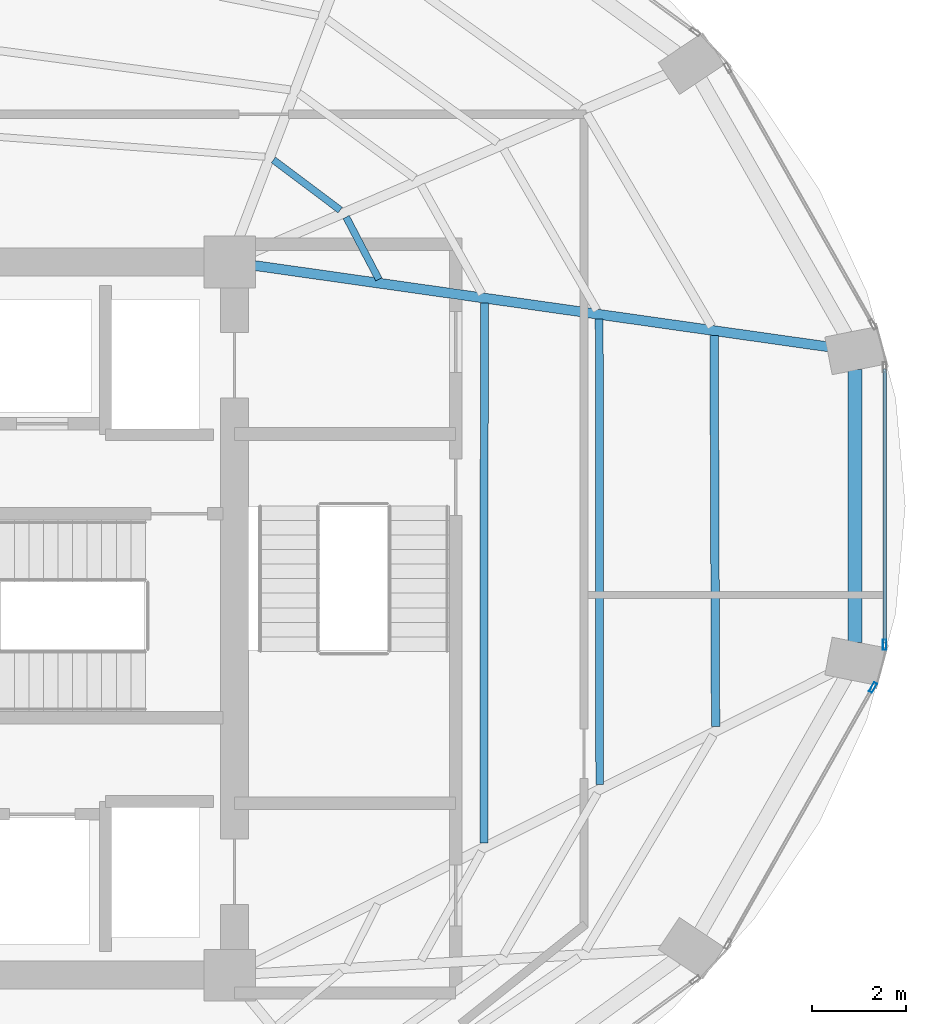
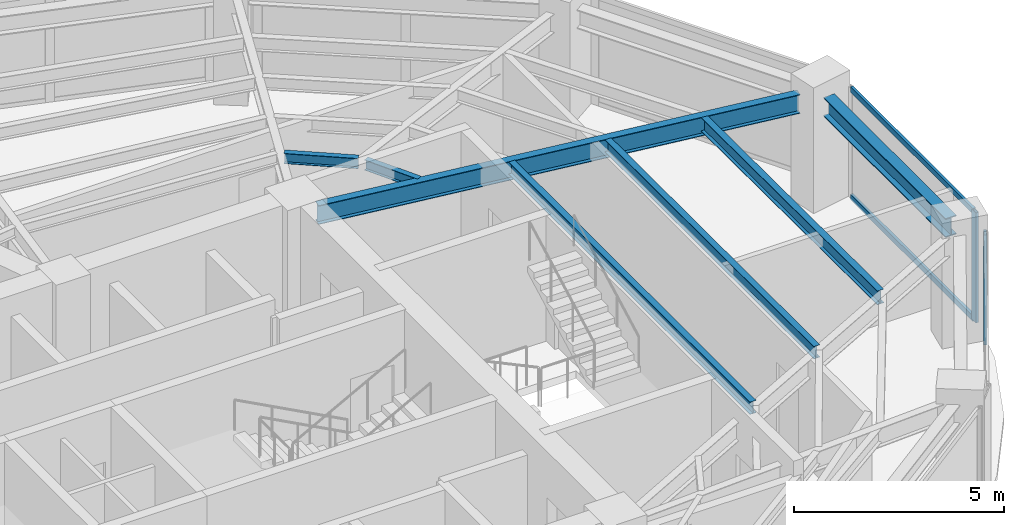
# One storey, part 10 of 20: 7 beams, 4 members, 2 elements without a shape of their own.
"""IFC4 building model written with IfcOpenShell, lengths in metres."""

from ifc_helpers import new_model, si_unit, direction, frame, origin, origin_2d, place, context, subcontext, project, spatial, hollow_rectangle, i_section, extrude, material, layer, layer_set, material_profile, profile_set, type_object, element, aggregate, save


model = new_model("IFC4")

# Units and contexts
model_context = context("Model", 3, precision=1e-05, world=origin(), true_north=direction((0.0, 1.0)))
body_context = subcontext(model_context, "Body", "Model", "MODEL_VIEW")
ifc_project = project(units=[si_unit("LENGTHUNIT", "METRE"), si_unit("AREAUNIT", "SQUARE_METRE"), si_unit("VOLUMEUNIT", "CUBIC_METRE"), si_unit("PLANEANGLEUNIT", "RADIAN"), si_unit("MASSUNIT", "GRAM", prefix="KILO")], contexts=[model_context])

# Site, building, storey
site_placement = place(None, origin())
site = spatial("IfcSite", under=ifc_project, at=site_placement, CompositionType="ELEMENT")
building_placement = place(site_placement, origin())
building = spatial("IfcBuilding", under=site, at=building_placement, Name="Lazwardi Medical Tower", CompositionType="ELEMENT")
storey_placement = place(building_placement, frame((0.0, 0.0, 185.7119140625)))
storey = spatial("IfcBuildingStorey", under=building, at=storey_placement, Name="L48", CompositionType="ELEMENT", Elevation=185.7119140625)

# Beams
ifc_material_1 = material(Name="Steel S355", Category="steel")
ifc_material_profile_1 = material_profile(ifc_material_1, i_section(OverallWidth=0.300048828125, OverallDepth=0.550048828125, WebThickness=0.014892578125, FlangeThickness=0.029052734375, at=origin_2d()), Name="HEB 550")
ifc_profile_set_1 = profile_set([ifc_material_profile_1], Name="Steel S355")
beam_type_1 = type_object("IfcBeamType", Name="BM-RB-Z3", PredefinedType="BEAM", material=ifc_profile_set_1)
beam_1_placement = place(storey_placement, frame((58.92578125, 27.48828125, 2.923095703125), z_axis=(0.0, 1.0, 0.0), x_axis=(-1.0, 0.0, 0.0)))
element("IfcBeam", 1, at=beam_1_placement, inside=storey, type_object=beam_type_1, Name="Ring beam RB-04 B04 L48", PredefinedType="BEAM", context=body_context, shape_type="SweptSolid", body=[
    extrude(i_section(OverallWidth=0.300048828125, OverallDepth=0.550048828125, WebThickness=0.014892578125, FlangeThickness=0.029052734375, at=origin_2d()), origin(), (0.0, 0.0, 1.0), 5.823486328125),
])
ifc_material_profile_2 = material_profile(ifc_material_1, i_section(OverallWidth=0.2099609375, OverallDepth=0.550048828125, WebThickness=0.010986328125, FlangeThickness=0.01708984375, at=origin_2d()), Name="IPE 550")
ifc_profile_set_2 = profile_set([ifc_material_profile_2], Name="Steel S355")
beam_type_2 = type_object("IfcBeamType", Name="BM-RG-W2", PredefinedType="BEAM", material=ifc_profile_set_2)
beam_2_placement = place(storey_placement, frame((58.371337890625, 33.790283203125, 2.923095703125), z_axis=(-0.99010958763, 0.140296131389, 0.0), x_axis=(-0.140296131389, -0.99010958763, 0.0)))
element("IfcBeam", 2, at=beam_2_placement, inside=storey, type_object=beam_type_2, Name="Radial girder RG-03 R05 L48", PredefinedType="BEAM", context=body_context, shape_type="SweptSolid", body=[
    extrude(i_section(OverallWidth=0.2099609375, OverallDepth=0.550048828125, WebThickness=0.010986328125, FlangeThickness=0.01708984375, at=origin_2d()), origin(), (0.0, 0.0, 1.0), 12.364013671875),
])
ifc_material_profile_3 = material_profile(ifc_material_1, i_section(OverallWidth=0.179931640625, OverallDepth=0.39990234375, WebThickness=0.008544921875, FlangeThickness=0.013427734375, at=origin_2d()), Name="IPE 400")
ifc_profile_set_3 = profile_set([ifc_material_profile_3], Name="Steel S355")
beam_type_3 = type_object("IfcBeamType", Name="BM-SJ-01", PredefinedType="JOIST", material=ifc_profile_set_3)
beam_3_placement = place(storey_placement, frame((55.95556640625, 25.69775390625, 2.998046875), z_axis=(-0.003864366017, 0.99999253331, 0.0), x_axis=(-0.99999253331, -0.003864366017, 0.0)))
element("IfcBeam", 3, at=beam_3_placement, inside=storey, type_object=beam_type_3, Name="Secondary joist SJ-01 R1 B04 L48", PredefinedType="JOIST", context=body_context, shape_type="SweptSolid", body=[
    extrude(i_section(OverallWidth=0.179931640625, OverallDepth=0.39990234375, WebThickness=0.008544921875, FlangeThickness=0.013427734375, at=origin_2d()), origin(), (0.0, 0.0, 1.0), 8.33935546875),
])
ifc_material_profile_4 = material_profile(ifc_material_1, i_section(OverallWidth=0.169921875, OverallDepth=0.360107421875, WebThickness=0.008056640625, FlangeThickness=0.0126953125, at=origin_2d()), Name="IPE 360")
ifc_profile_set_4 = profile_set([ifc_material_profile_4], Name="Steel S355")
beam_type_4 = type_object("IfcBeamType", Name="BM-SJ-02", PredefinedType="JOIST", material=ifc_profile_set_4)
beam_4_placement = place(storey_placement, frame((53.486328125, 24.458251953125, 3.01806640625), z_axis=(-0.001156040156, 0.999999331785, 0.0), x_axis=(-0.999999331785, -0.001156040156, 0.0)))
element("IfcBeam", 4, at=beam_4_placement, inside=storey, type_object=beam_type_4, Name="Secondary joist SJ-02 R2 B04 L48", PredefinedType="JOIST", context=body_context, shape_type="SweptSolid", body=[
    extrude(i_section(OverallWidth=0.169921875, OverallDepth=0.360107421875, WebThickness=0.008056640625, FlangeThickness=0.0126953125, at=origin_2d()), origin(), (0.0, 0.0, 1.0), 9.92578125),
])
beam_5_placement = place(storey_placement, frame((51.01708984375, 23.21875, 3.01806640625), z_axis=(0.000805852776, 0.999999675301, 0.0), x_axis=(-0.999999675301, 0.000805852776, 0.0)))
element("IfcBeam", 5, at=beam_5_placement, inside=storey, type_object=beam_type_4, Name="Secondary joist SJ-02 R3 B04 L48", PredefinedType="JOIST", context=body_context, shape_type="SweptSolid", body=[
    extrude(i_section(OverallWidth=0.169921875, OverallDepth=0.360107421875, WebThickness=0.008056640625, FlangeThickness=0.0126953125, at=origin_2d()), origin(), (0.0, 0.0, 1.0), 11.512451171875),
])
ifc_material_profile_5 = material_profile(ifc_material_1, i_section(OverallWidth=0.14990234375, OverallDepth=0.300048828125, WebThickness=0.007080078125, FlangeThickness=0.0107421875, at=origin_2d()), Name="IPE 300")
ifc_profile_set_5 = profile_set([ifc_material_profile_5], Name="Steel S355")
beam_type_5 = type_object("IfcBeamType", Name="BM-SJ-03", PredefinedType="JOIST", material=ifc_profile_set_5)
beam_6_placement = place(storey_placement, frame((48.7763671875, 35.231689453125, 3.048095703125), z_axis=(-0.464469748171, 0.885588986513, 0.0), x_axis=(-0.885588986513, -0.464469748171, 0.0)))
element("IfcBeam", 6, at=beam_6_placement, inside=storey, type_object=beam_type_5, Name="Secondary joist SJ-03 R4 B05 L48", PredefinedType="JOIST", context=body_context, shape_type="SweptSolid", body=[
    extrude(i_section(OverallWidth=0.14990234375, OverallDepth=0.300048828125, WebThickness=0.007080078125, FlangeThickness=0.0107421875, at=origin_2d()), origin(), (0.0, 0.0, 1.0), 1.498046875),
])
beam_7_placement = place(storey_placement, frame((47.9541015625, 36.70703125, 3.048095703125), z_axis=(-0.799884834751, 0.600153522972, 0.0), x_axis=(-0.600153522972, -0.799884834751, 0.0)))
element("IfcBeam", 7, at=beam_7_placement, inside=storey, type_object=beam_type_5, Name="Secondary joist SJ-03 R4 B06 L48", PredefinedType="JOIST", context=body_context, shape_type="SweptSolid", body=[
    extrude(i_section(OverallWidth=0.14990234375, OverallDepth=0.300048828125, WebThickness=0.007080078125, FlangeThickness=0.0107421875, at=origin_2d()), origin(), (0.0, 0.0, 1.0), 1.781005859375),
])

# Curtain wall, member
ifc_material_2 = material(Name="Anodised bronze aluminium and solar control glazing", Category="aluminium")
ifc_layer = layer(ifc_material_2, 0.195068359375)
ifc_layer_set = layer_set([ifc_layer], Name="Anodised bronze aluminium and solar control glazing")
curtain_wall_type = type_object("IfcCurtainWallType", Name="CW-SYS-03", PredefinedType="NOTDEFINED", material=ifc_layer_set)
curtain_wall_1_placement = place(storey_placement, origin())
curtain_wall_1 = element("IfcCurtainWall", 8, at=curtain_wall_1_placement, inside=storey, type_object=curtain_wall_type, Name="L48 Unitised bronze curtain wall CW-03", PredefinedType="NOTDEFINED")
ifc_material_3 = material(Name="Anodised bronze aluminium", Category="aluminium")
ifc_material_profile_6 = material_profile(ifc_material_3, hollow_rectangle(XDim=0.074951171875, YDim=0.219970703125, WallThickness=0.00390625, at=origin_2d()), Name="ALU-MULLION 220x75x4")
ifc_profile_set_6 = profile_set([ifc_material_profile_6], Name="Anodised bronze aluminium")
member_type_1 = type_object("IfcMemberType", Name="CW-MUL-01", PredefinedType="MULLION", material=ifc_profile_set_6)
member_1_placement = place(storey_placement, frame((59.31103515625, 26.53271484375, 0.0), z_axis=(0.0, 0.0, 1.0), x_axis=(-0.870418989303, 0.492311672683, 0.0)))
member_1 = element("IfcMember", 9, at=member_1_placement, type_object=member_type_1, Name="CW-03 mullion 2", PredefinedType="MULLION", context=body_context, shape_type="SweptSolid", body=[
    extrude(hollow_rectangle(XDim=0.074951171875, YDim=0.219970703125, WallThickness=0.00390625, at=origin_2d()), origin(), (0.0, 0.0, 1.0), 3.197998046875),
])
aggregate(curtain_wall_1, [member_1])

# Curtain wall, members
curtain_wall_2_placement = place(storey_placement, origin())
curtain_wall_2 = element("IfcCurtainWall", 10, at=curtain_wall_2_placement, inside=storey, type_object=curtain_wall_type, Name="L48 Unitised bronze curtain wall CW-03", PredefinedType="NOTDEFINED")
member_2_placement = place(storey_placement, frame((59.5576171875, 27.442138671875, 0.0), z_axis=(0.0, 0.0, 1.0), x_axis=(-1.0, 0.0, 0.0)))
member_2 = element("IfcMember", 11, at=member_2_placement, type_object=member_type_1, Name="CW-03 mullion 1", PredefinedType="MULLION", context=body_context, shape_type="SweptSolid", body=[
    extrude(hollow_rectangle(XDim=0.074951171875, YDim=0.219970703125, WallThickness=0.00390625, at=origin_2d()), origin(), (0.0, 0.0, 1.0), 3.197998046875),
])
ifc_material_profile_7 = material_profile(ifc_material_3, hollow_rectangle(XDim=0.074951171875, YDim=0.159912109375, WallThickness=0.00390625, at=origin_2d()), Name="ALU-TRANSOM 160x75x4")
ifc_profile_set_7 = profile_set([ifc_material_profile_7], Name="Anodised bronze aluminium")
member_type_2 = type_object("IfcMemberType", Name="CW-TRN-01", PredefinedType="USERDEFINED", material=ifc_profile_set_7)
member_3_placement = place(storey_placement, frame((59.5576171875, 27.4794921875, 0.03759765625), z_axis=(0.0, 1.0, 0.0), x_axis=(-1.0, 0.0, 0.0)))
member_3 = element("IfcMember", 12, at=member_3_placement, type_object=member_type_2, Name="CW-03 transom 1.1", ObjectType="TRANSOM", PredefinedType="USERDEFINED", context=body_context, shape_type="SweptSolid", body=[
    extrude(hollow_rectangle(XDim=0.074951171875, YDim=0.159912109375, WallThickness=0.00390625, at=origin_2d()), origin(), (0.0, 0.0, 1.0), 5.8408203125),
])
member_4_placement = place(storey_placement, frame((59.5576171875, 27.4794921875, 3.16064453125), z_axis=(0.0, 1.0, 0.0), x_axis=(-1.0, 0.0, 0.0)))
member_4 = element("IfcMember", 13, at=member_4_placement, type_object=member_type_2, Name="CW-03 transom 1.2", ObjectType="TRANSOM", PredefinedType="USERDEFINED", context=body_context, shape_type="SweptSolid", body=[
    extrude(hollow_rectangle(XDim=0.074951171875, YDim=0.159912109375, WallThickness=0.00390625, at=origin_2d()), origin(), (0.0, 0.0, 1.0), 5.8408203125),
])
aggregate(curtain_wall_2, [member_2, member_3, member_4])

save(model, "model.ifc")
